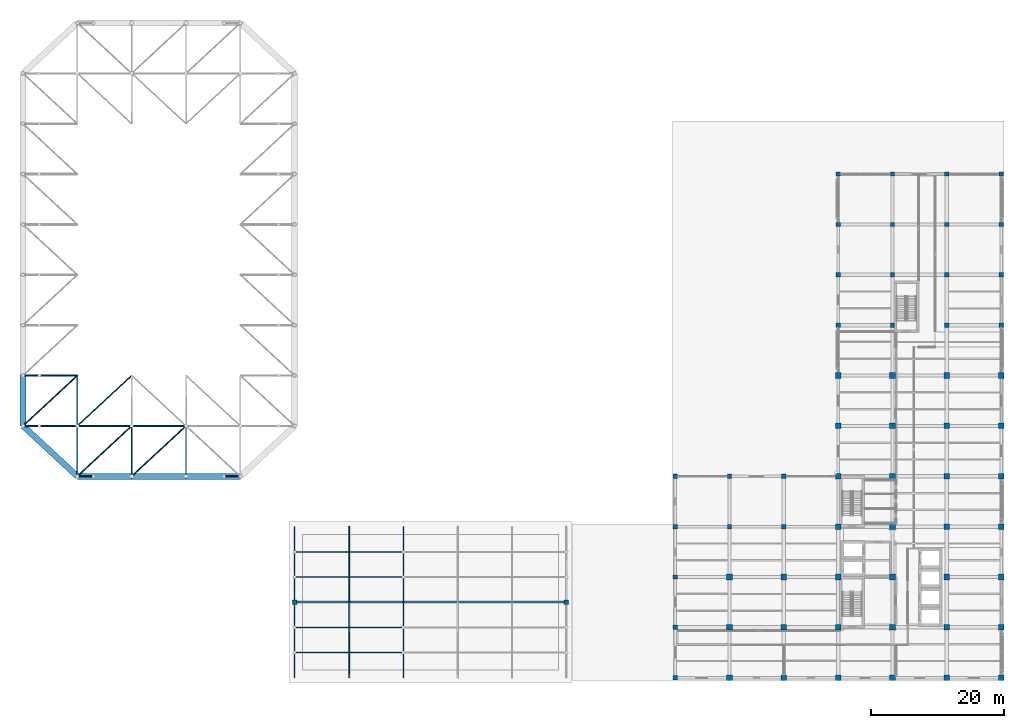
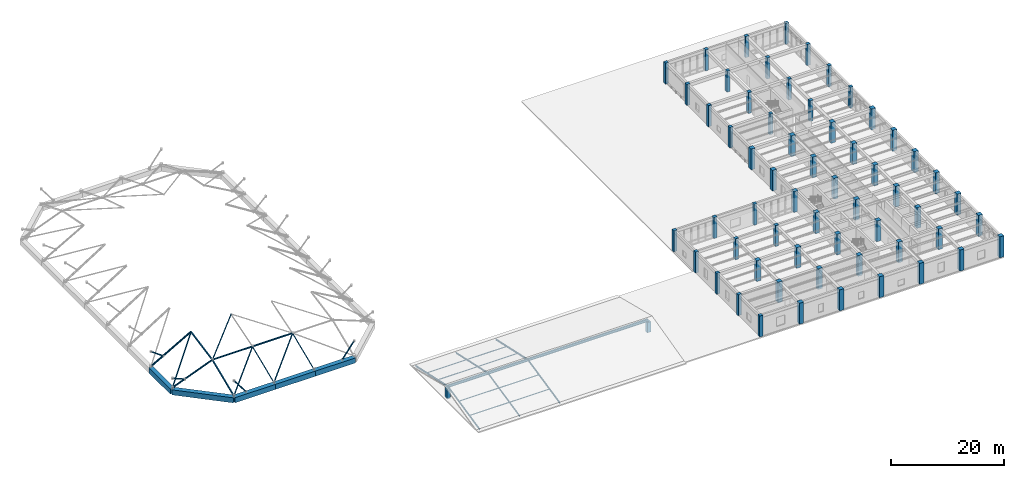
# One storey, part 1 of 23: 61 columns, 26 members, 6 beams.
"""IFC4 building model written with IfcOpenShell, lengths in metres."""

from ifc_helpers import new_model, si_unit, direction, frame, origin, origin_2d, place, context, subcontext, project, spatial, rectangle, hollow_rectangle, hollow_circle, i_section, extrude, material, material_profile, profile_set, type_object, element, save


model = new_model("IFC4")

# Units and contexts
model_context = context("Model", 3, precision=1e-05, world=origin(), true_north=direction((0.0, 1.0)))
body_context = subcontext(model_context, "Body", "Model", "MODEL_VIEW")
ifc_project = project(units=[si_unit("LENGTHUNIT", "METRE"), si_unit("AREAUNIT", "SQUARE_METRE"), si_unit("VOLUMEUNIT", "CUBIC_METRE"), si_unit("PLANEANGLEUNIT", "RADIAN"), si_unit("MASSUNIT", "GRAM", prefix="KILO")], contexts=[model_context])

# Site, building, storey
site_placement = place(None, origin())
site = spatial("IfcSite", under=ifc_project, at=site_placement, CompositionType="ELEMENT")
building_placement = place(site_placement, origin())
building = spatial("IfcBuilding", under=site, at=building_placement, Name="Qandaris Square Conservatory and Botanical Centre", CompositionType="ELEMENT")
storey_placement = place(building_placement, frame((0.0, 0.0, 15.0)))
storey = spatial("IfcBuildingStorey", under=building, at=storey_placement, Name="L03", CompositionType="ELEMENT", Elevation=15.0)

# Columns
ifc_material_1 = material(Name="Concrete C50/60", Category="concrete")
ifc_material_profile_1 = material_profile(ifc_material_1, rectangle(XDim=0.64990234375, YDim=0.64990234375, at=origin_2d()), Name="RC-COL 650x650")
ifc_profile_set_1 = profile_set([ifc_material_profile_1], Name="Concrete C50/60")
column_type_1 = type_object("IfcColumnType", Name="RC Column 650x650", PredefinedType="COLUMN", material=ifc_profile_set_1)
for number, where, z_axis, x_axis, name in (
    (1, (114.60009765625, 16.60009765625, 0.0), (0.0, 0.0, 1.0), (1.0, 0.0, 0.0), "Column B14 (L03)"),
    (2, (114.60009765625, 24.199951171875, 0.0), (0.0, 0.0, 1.0), (1.0, 0.0, 0.0), "Column C14 (L03)"),
    (3, (114.60009765625, 31.800048828125, 0.0), (0.0, 0.0, 1.0), (1.0, 0.0, 0.0), "Column D14 (L03)"),
    (4, (114.60009765625, 39.39990234375, 0.0), (0.0, 0.0, 1.0), (1.0, 0.0, 0.0), "Column E14 (L03)"),
    (5, (114.60009765625, 47.0, 0.0), (0.0, 0.0, 1.0), (1.0, 0.0, 0.0), "Column F14 (L03)"),
    (6, (122.800048828125, 39.39990234375, 0.0), (0.0, 0.0, 1.0), (1.0, 0.0, 0.0), "Column E15 (L03)"),
    (7, (122.800048828125, 47.0, 0.0), (0.0, 0.0, 1.0), (1.0, 0.0, 0.0), "Column F15 (L03)"),
    (8, (131.0, 39.39990234375, 0.0), (0.0, 0.0, 1.0), (1.0, 0.0, 0.0), "Column E16 (L03)"),
    (9, (131.0, 47.0, 0.0), (0.0, 0.0, 1.0), (1.0, 0.0, 0.0), "Column F16 (L03)"),
):
    element("IfcColumn", number, at=place(storey_placement, frame(where, z_axis=z_axis, x_axis=x_axis)), inside=storey, type_object=column_type_1, Name=name, PredefinedType="COLUMN", context=body_context, shape_type="SweptSolid", body=[
        extrude(rectangle(XDim=0.64990234375, YDim=0.64990234375, at=origin_2d()), origin(), (0.0, 0.0, 1.0), 4.544921875),
    ])
column_1_placement = place(storey_placement, frame((139.199951171875, 69.800048828125, 0.0), z_axis=(0.0, 0.0, 1.0), x_axis=(1.0, 0.0, 0.0)))
element("IfcColumn", 10, at=column_1_placement, inside=storey, type_object=column_type_1, Name="Column J17 (L03)", PredefinedType="COLUMN", context=body_context, shape_type="SweptSolid", body=[
    extrude(rectangle(XDim=0.64990234375, YDim=0.64990234375, at=origin_2d()), origin(), (0.0, 0.0, 1.0), 4.47998046875),
])
for number, where, z_axis, x_axis, name in (
    (11, (139.199951171875, 77.39990234375, 0.0), (0.0, 0.0, 1.0), (1.0, 0.0, 0.0), "Column K17 (L03)"),
    (12, (139.199951171875, 85.0, 0.0), (0.0, 0.0, 1.0), (1.0, 0.0, 0.0), "Column L17 (L03)"),
    (13, (139.199951171875, 92.60009765625, 0.0), (0.0, 0.0, 1.0), (1.0, 0.0, 0.0), "Column M17 (L03)"),
):
    element("IfcColumn", number, at=place(storey_placement, frame(where, z_axis=z_axis, x_axis=x_axis)), inside=storey, type_object=column_type_1, Name=name, PredefinedType="COLUMN", context=body_context, shape_type="SweptSolid", body=[
        extrude(rectangle(XDim=0.64990234375, YDim=0.64990234375, at=origin_2d()), origin(), (0.0, 0.0, 1.0), 4.570068359375),
    ])
column_2_placement = place(storey_placement, frame((147.39990234375, 69.800048828125, 0.0), z_axis=(0.0, 0.0, 1.0), x_axis=(1.0, 0.0, 0.0)))
element("IfcColumn", 14, at=column_2_placement, inside=storey, type_object=column_type_1, Name="Column J18 (L03)", PredefinedType="COLUMN", context=body_context, shape_type="SweptSolid", body=[
    extrude(rectangle(XDim=0.64990234375, YDim=0.64990234375, at=origin_2d()), origin(), (0.0, 0.0, 1.0), 4.47998046875),
])
for number, where, z_axis, x_axis, name in (
    (15, (147.39990234375, 77.39990234375, 0.0), (0.0, 0.0, 1.0), (1.0, 0.0, 0.0), "Column K18 (L03)"),
    (16, (147.39990234375, 85.0, 0.0), (0.0, 0.0, 1.0), (1.0, 0.0, 0.0), "Column L18 (L03)"),
    (17, (147.39990234375, 92.60009765625, 0.0), (0.0, 0.0, 1.0), (1.0, 0.0, 0.0), "Column M18 (L03)"),
):
    element("IfcColumn", number, at=place(storey_placement, frame(where, z_axis=z_axis, x_axis=x_axis)), inside=storey, type_object=column_type_1, Name=name, PredefinedType="COLUMN", context=body_context, shape_type="SweptSolid", body=[
        extrude(rectangle(XDim=0.64990234375, YDim=0.64990234375, at=origin_2d()), origin(), (0.0, 0.0, 1.0), 4.570068359375),
    ])
column_3_placement = place(storey_placement, frame((155.60009765625, 69.800048828125, 0.0), z_axis=(0.0, 0.0, 1.0), x_axis=(1.0, 0.0, 0.0)))
element("IfcColumn", 18, at=column_3_placement, inside=storey, type_object=column_type_1, Name="Column J19 (L03)", PredefinedType="COLUMN", context=body_context, shape_type="SweptSolid", body=[
    extrude(rectangle(XDim=0.64990234375, YDim=0.64990234375, at=origin_2d()), origin(), (0.0, 0.0, 1.0), 4.47998046875),
])
for number, where, z_axis, x_axis, name in (
    (19, (155.60009765625, 77.39990234375, 0.0), (0.0, 0.0, 1.0), (1.0, 0.0, 0.0), "Column K19 (L03)"),
    (20, (155.60009765625, 85.0, 0.0), (0.0, 0.0, 1.0), (1.0, 0.0, 0.0), "Column L19 (L03)"),
    (21, (155.60009765625, 92.60009765625, 0.0), (0.0, 0.0, 1.0), (1.0, 0.0, 0.0), "Column M19 (L03)"),
):
    element("IfcColumn", number, at=place(storey_placement, frame(where, z_axis=z_axis, x_axis=x_axis)), inside=storey, type_object=column_type_1, Name=name, PredefinedType="COLUMN", context=body_context, shape_type="SweptSolid", body=[
        extrude(rectangle(XDim=0.64990234375, YDim=0.64990234375, at=origin_2d()), origin(), (0.0, 0.0, 1.0), 4.570068359375),
    ])
column_4_placement = place(storey_placement, frame((163.800048828125, 69.800048828125, 0.0), z_axis=(0.0, 0.0, 1.0), x_axis=(1.0, 0.0, 0.0)))
element("IfcColumn", 22, at=column_4_placement, inside=storey, type_object=column_type_1, Name="Column J20 (L03)", PredefinedType="COLUMN", context=body_context, shape_type="SweptSolid", body=[
    extrude(rectangle(XDim=0.64990234375, YDim=0.64990234375, at=origin_2d()), origin(), (0.0, 0.0, 1.0), 4.544921875),
])
for number, where, z_axis, x_axis, name in (
    (23, (163.800048828125, 77.39990234375, 0.0), (0.0, 0.0, 1.0), (1.0, 0.0, 0.0), "Column K20 (L03)"),
    (24, (163.800048828125, 85.0, 0.0), (0.0, 0.0, 1.0), (1.0, 0.0, 0.0), "Column L20 (L03)"),
):
    element("IfcColumn", number, at=place(storey_placement, frame(where, z_axis=z_axis, x_axis=x_axis)), inside=storey, type_object=column_type_1, Name=name, PredefinedType="COLUMN", context=body_context, shape_type="SweptSolid", body=[
        extrude(rectangle(XDim=0.64990234375, YDim=0.64990234375, at=origin_2d()), origin(), (0.0, 0.0, 1.0), 4.570068359375),
    ])
column_5_placement = place(storey_placement, frame((163.800048828125, 92.60009765625, 0.0), z_axis=(0.0, 0.0, 1.0), x_axis=(1.0, 0.0, 0.0)))
element("IfcColumn", 25, at=column_5_placement, inside=storey, type_object=column_type_1, Name="Column M20 (L03)", PredefinedType="COLUMN", context=body_context, shape_type="SweptSolid", body=[
    extrude(rectangle(XDim=0.64990234375, YDim=0.64990234375, at=origin_2d()), origin(), (0.0, 0.0, 1.0), 4.544921875),
])
ifc_material_profile_2 = material_profile(ifc_material_1, rectangle(XDim=0.699951171875, YDim=0.699951171875, at=origin_2d()), Name="RC-COL 700x700")
ifc_profile_set_2 = profile_set([ifc_material_profile_2], Name="Concrete C50/60")
column_type_2 = type_object("IfcColumnType", Name="RC Column 700x700", PredefinedType="COLUMN", material=ifc_profile_set_2)
for number, where, z_axis, x_axis, name in (
    (26, (57.199951171875, 28.0, -0.2548828125), (0.0, 0.0, 1.0), (1.0, 0.0, 0.0), "Auditorium Ridge Post 7"),
    (27, (98.199951171875, 28.0, -0.2548828125), (0.0, 0.0, 1.0), (1.0, 0.0, 0.0), "Auditorium Ridge Post 12"),
):
    element("IfcColumn", number, at=place(storey_placement, frame(where, z_axis=z_axis, x_axis=x_axis)), inside=storey, type_object=column_type_2, Name=name, PredefinedType="COLUMN", context=body_context, shape_type="SweptSolid", body=[
        extrude(rectangle(XDim=0.699951171875, YDim=0.699951171875, at=origin_2d()), origin(), (0.0, 0.0, 1.0), 2.23486328125),
    ])
ifc_material_profile_3 = material_profile(ifc_material_1, rectangle(XDim=0.85009765625, YDim=0.85009765625, at=origin_2d()), Name="RC-COL 850x850")
ifc_profile_set_3 = profile_set([ifc_material_profile_3], Name="Concrete C50/60")
column_type_3 = type_object("IfcColumnType", Name="RC Column 850x850", PredefinedType="COLUMN", material=ifc_profile_set_3)
column_6_placement = place(storey_placement, frame((122.800048828125, 16.60009765625, 0.0), z_axis=(0.0, 0.0, 1.0), x_axis=(1.0, 0.0, 0.0)))
element("IfcColumn", 28, at=column_6_placement, inside=storey, type_object=column_type_3, Name="Column B15 (L03)", PredefinedType="COLUMN", context=body_context, shape_type="SweptSolid", body=[
    extrude(rectangle(XDim=0.85009765625, YDim=0.85009765625, at=origin_2d()), origin(), (0.0, 0.0, 1.0), 4.544921875),
])
for number, where, z_axis, x_axis, name in (
    (29, (122.800048828125, 24.199951171875, 0.0), (0.0, 0.0, 1.0), (1.0, 0.0, 0.0), "Column C15 (L03)"),
    (30, (122.800048828125, 31.800048828125, 0.0), (0.0, 0.0, 1.0), (1.0, 0.0, 0.0), "Column D15 (L03)"),
):
    element("IfcColumn", number, at=place(storey_placement, frame(where, z_axis=z_axis, x_axis=x_axis)), inside=storey, type_object=column_type_3, Name=name, PredefinedType="COLUMN", context=body_context, shape_type="SweptSolid", body=[
        extrude(rectangle(XDim=0.85009765625, YDim=0.85009765625, at=origin_2d()), origin(), (0.0, 0.0, 1.0), 4.47998046875),
    ])
column_7_placement = place(storey_placement, frame((131.0, 16.60009765625, 0.0), z_axis=(0.0, 0.0, 1.0), x_axis=(1.0, 0.0, 0.0)))
element("IfcColumn", 31, at=column_7_placement, inside=storey, type_object=column_type_3, Name="Column B16 (L03)", PredefinedType="COLUMN", context=body_context, shape_type="SweptSolid", body=[
    extrude(rectangle(XDim=0.85009765625, YDim=0.85009765625, at=origin_2d()), origin(), (0.0, 0.0, 1.0), 4.544921875),
])
for number, where, z_axis, x_axis, name in (
    (32, (131.0, 24.199951171875, 0.0), (0.0, 0.0, 1.0), (1.0, 0.0, 0.0), "Column C16 (L03)"),
    (33, (131.0, 31.800048828125, 0.0), (0.0, 0.0, 1.0), (1.0, 0.0, 0.0), "Column D16 (L03)"),
):
    element("IfcColumn", number, at=place(storey_placement, frame(where, z_axis=z_axis, x_axis=x_axis)), inside=storey, type_object=column_type_3, Name=name, PredefinedType="COLUMN", context=body_context, shape_type="SweptSolid", body=[
        extrude(rectangle(XDim=0.85009765625, YDim=0.85009765625, at=origin_2d()), origin(), (0.0, 0.0, 1.0), 4.47998046875),
    ])
column_8_placement = place(storey_placement, frame((139.199951171875, 16.60009765625, 0.0), z_axis=(0.0, 0.0, 1.0), x_axis=(1.0, 0.0, 0.0)))
element("IfcColumn", 34, at=column_8_placement, inside=storey, type_object=column_type_3, Name="Column B17 (L03)", PredefinedType="COLUMN", context=body_context, shape_type="SweptSolid", body=[
    extrude(rectangle(XDim=0.85009765625, YDim=0.85009765625, at=origin_2d()), origin(), (0.0, 0.0, 1.0), 4.544921875),
])
for number, where, z_axis, x_axis, name in (
    (35, (139.199951171875, 24.199951171875, 0.0), (0.0, 0.0, 1.0), (1.0, 0.0, 0.0), "Column C17 (L03)"),
    (36, (139.199951171875, 31.800048828125, 0.0), (0.0, 0.0, 1.0), (1.0, 0.0, 0.0), "Column D17 (L03)"),
    (37, (139.199951171875, 39.39990234375, 0.0), (0.0, 0.0, 1.0), (1.0, 0.0, 0.0), "Column E17 (L03)"),
    (38, (139.199951171875, 47.0, 0.0), (0.0, 0.0, 1.0), (1.0, 0.0, 0.0), "Column F17 (L03)"),
    (39, (139.199951171875, 54.60009765625, 0.0), (0.0, 0.0, 1.0), (1.0, 0.0, 0.0), "Column G17 (L03)"),
    (40, (139.199951171875, 62.199951171875, 0.0), (0.0, 0.0, 1.0), (1.0, 0.0, 0.0), "Column H17 (L03)"),
):
    element("IfcColumn", number, at=place(storey_placement, frame(where, z_axis=z_axis, x_axis=x_axis)), inside=storey, type_object=column_type_3, Name=name, PredefinedType="COLUMN", context=body_context, shape_type="SweptSolid", body=[
        extrude(rectangle(XDim=0.85009765625, YDim=0.85009765625, at=origin_2d()), origin(), (0.0, 0.0, 1.0), 4.47998046875),
    ])
column_9_placement = place(storey_placement, frame((147.39990234375, 16.60009765625, 0.0), z_axis=(0.0, 0.0, 1.0), x_axis=(1.0, 0.0, 0.0)))
element("IfcColumn", 41, at=column_9_placement, inside=storey, type_object=column_type_3, Name="Column B18 (L03)", PredefinedType="COLUMN", context=body_context, shape_type="SweptSolid", body=[
    extrude(rectangle(XDim=0.85009765625, YDim=0.85009765625, at=origin_2d()), origin(), (0.0, 0.0, 1.0), 4.544921875),
])
for number, where, z_axis, x_axis, name in (
    (42, (147.39990234375, 24.199951171875, 0.0), (0.0, 0.0, 1.0), (1.0, 0.0, 0.0), "Column C18 (L03)"),
    (43, (147.39990234375, 31.800048828125, 0.0), (0.0, 0.0, 1.0), (1.0, 0.0, 0.0), "Column D18 (L03)"),
    (44, (147.39990234375, 39.39990234375, 0.0), (0.0, 0.0, 1.0), (1.0, 0.0, 0.0), "Column E18 (L03)"),
    (45, (147.39990234375, 47.0, 0.0), (0.0, 0.0, 1.0), (1.0, 0.0, 0.0), "Column F18 (L03)"),
    (46, (147.39990234375, 54.60009765625, 0.0), (0.0, 0.0, 1.0), (1.0, 0.0, 0.0), "Column G18 (L03)"),
    (47, (147.39990234375, 62.199951171875, 0.0), (0.0, 0.0, 1.0), (1.0, 0.0, 0.0), "Column H18 (L03)"),
):
    element("IfcColumn", number, at=place(storey_placement, frame(where, z_axis=z_axis, x_axis=x_axis)), inside=storey, type_object=column_type_3, Name=name, PredefinedType="COLUMN", context=body_context, shape_type="SweptSolid", body=[
        extrude(rectangle(XDim=0.85009765625, YDim=0.85009765625, at=origin_2d()), origin(), (0.0, 0.0, 1.0), 4.47998046875),
    ])
column_10_placement = place(storey_placement, frame((155.60009765625, 16.60009765625, 0.0), z_axis=(0.0, 0.0, 1.0), x_axis=(1.0, 0.0, 0.0)))
element("IfcColumn", 48, at=column_10_placement, inside=storey, type_object=column_type_3, Name="Column B19 (L03)", PredefinedType="COLUMN", context=body_context, shape_type="SweptSolid", body=[
    extrude(rectangle(XDim=0.85009765625, YDim=0.85009765625, at=origin_2d()), origin(), (0.0, 0.0, 1.0), 4.544921875),
])
for number, where, z_axis, x_axis, name in (
    (49, (155.60009765625, 24.199951171875, 0.0), (0.0, 0.0, 1.0), (1.0, 0.0, 0.0), "Column C19 (L03)"),
    (50, (155.60009765625, 31.800048828125, 0.0), (0.0, 0.0, 1.0), (1.0, 0.0, 0.0), "Column D19 (L03)"),
    (51, (155.60009765625, 39.39990234375, 0.0), (0.0, 0.0, 1.0), (1.0, 0.0, 0.0), "Column E19 (L03)"),
    (52, (155.60009765625, 47.0, 0.0), (0.0, 0.0, 1.0), (1.0, 0.0, 0.0), "Column F19 (L03)"),
    (53, (155.60009765625, 54.60009765625, 0.0), (0.0, 0.0, 1.0), (1.0, 0.0, 0.0), "Column G19 (L03)"),
    (54, (155.60009765625, 62.199951171875, 0.0), (0.0, 0.0, 1.0), (1.0, 0.0, 0.0), "Column H19 (L03)"),
):
    element("IfcColumn", number, at=place(storey_placement, frame(where, z_axis=z_axis, x_axis=x_axis)), inside=storey, type_object=column_type_3, Name=name, PredefinedType="COLUMN", context=body_context, shape_type="SweptSolid", body=[
        extrude(rectangle(XDim=0.85009765625, YDim=0.85009765625, at=origin_2d()), origin(), (0.0, 0.0, 1.0), 4.47998046875),
    ])
for number, where, z_axis, x_axis, name in (
    (55, (163.800048828125, 16.60009765625, 0.0), (0.0, 0.0, 1.0), (1.0, 0.0, 0.0), "Column B20 (L03)"),
    (56, (163.800048828125, 24.199951171875, 0.0), (0.0, 0.0, 1.0), (1.0, 0.0, 0.0), "Column C20 (L03)"),
    (57, (163.800048828125, 31.800048828125, 0.0), (0.0, 0.0, 1.0), (1.0, 0.0, 0.0), "Column D20 (L03)"),
    (58, (163.800048828125, 39.39990234375, 0.0), (0.0, 0.0, 1.0), (1.0, 0.0, 0.0), "Column E20 (L03)"),
    (59, (163.800048828125, 47.0, 0.0), (0.0, 0.0, 1.0), (1.0, 0.0, 0.0), "Column F20 (L03)"),
    (60, (163.800048828125, 54.60009765625, 0.0), (0.0, 0.0, 1.0), (1.0, 0.0, 0.0), "Column G20 (L03)"),
    (61, (163.800048828125, 62.199951171875, 0.0), (0.0, 0.0, 1.0), (1.0, 0.0, 0.0), "Column H20 (L03)"),
):
    element("IfcColumn", number, at=place(storey_placement, frame(where, z_axis=z_axis, x_axis=x_axis)), inside=storey, type_object=column_type_3, Name=name, PredefinedType="COLUMN", context=body_context, shape_type="SweptSolid", body=[
        extrude(rectangle(XDim=0.85009765625, YDim=0.85009765625, at=origin_2d()), origin(), (0.0, 0.0, 1.0), 4.544921875),
    ])

# Members
ifc_material_2 = material(Name="Steel S355", Category="steel")
ifc_material_profile_4 = material_profile(ifc_material_2, i_section(OverallWidth=0.14990234375, OverallDepth=0.300048828125, WebThickness=0.007080078125, FlangeThickness=0.0107421875, FilletRadius=0.014892578125, at=origin_2d()), Name="IPE 300")
ifc_profile_set_4 = profile_set([ifc_material_profile_4], Name="Steel S355")
member_type_1 = type_object("IfcMemberType", Name="Auditorium Eave Prairie Rafter IPE 300", PredefinedType="RAFTER", material=ifc_profile_set_4)
for number, where, z_axis, x_axis, name in (
    (62, (65.39990234375, 16.60009765625, -0.2548828125), (0.0, 0.976700090334, 0.214608791854), (-1.0, 0.0, 0.0), "Auditorium South Rafter 003"),
    (63, (65.39990234375, 39.39990234375, -0.2548828125), (0.0, -0.976700090334, 0.214608791854), (1.0, 0.0, 0.0), "Auditorium North Rafter 004"),
):
    element("IfcMember", number, at=place(storey_placement, frame(where, z_axis=z_axis, x_axis=x_axis)), inside=storey, type_object=member_type_1, Name=name, PredefinedType="RAFTER", context=body_context, shape_type="SweptSolid", body=[
        extrude(i_section(OverallWidth=0.14990234375, OverallDepth=0.300048828125, WebThickness=0.007080078125, FlangeThickness=0.0107421875, FilletRadius=0.014892578125, at=origin_2d()), origin(), (0.0, 0.0, 1.0), 11.671875),
    ])
ifc_material_profile_5 = material_profile(ifc_material_2, i_section(OverallWidth=0.159912109375, OverallDepth=0.330078125, WebThickness=0.007568359375, FlangeThickness=0.011474609375, FilletRadius=0.01806640625, at=origin_2d()), Name="IPE 330")
ifc_profile_set_5 = profile_set([ifc_material_profile_5], Name="Steel S355")
member_type_2 = type_object("IfcMemberType", Name="Auditorium Hip Prairie Rafter IPE 330", PredefinedType="RAFTER", material=ifc_profile_set_5)
for number, where, z_axis, x_axis, name in (
    (64, (57.199951171875, 16.60009765625, -0.2548828125), (0.0, 0.976700090334, 0.214608791854), (-1.0, 0.0, 0.0), "Auditorium South Rafter 001"),
    (65, (57.199951171875, 39.39990234375, -0.2548828125), (0.0, -0.976700090334, 0.214608791854), (1.0, 0.0, 0.0), "Auditorium North Rafter 002"),
    (66, (73.60009765625, 16.60009765625, -0.2548828125), (0.0, 0.976700090334, 0.214608791854), (-1.0, 0.0, 0.0), "Auditorium South Rafter 005"),
    (67, (73.60009765625, 39.39990234375, -0.2548828125), (0.0, -0.976700090334, 0.214608791854), (1.0, 0.0, 0.0), "Auditorium North Rafter 006"),
):
    element("IfcMember", number, at=place(storey_placement, frame(where, z_axis=z_axis, x_axis=x_axis)), inside=storey, type_object=member_type_2, Name=name, PredefinedType="RAFTER", context=body_context, shape_type="SweptSolid", body=[
        extrude(i_section(OverallWidth=0.159912109375, OverallDepth=0.330078125, WebThickness=0.007568359375, FlangeThickness=0.011474609375, FilletRadius=0.01806640625, at=origin_2d()), origin(), (0.0, 0.0, 1.0), 11.671875),
    ])

# Beams
ifc_material_profile_6 = material_profile(ifc_material_1, rectangle(XDim=0.89990234375, YDim=1.10009765625, at=origin_2d()), Name="RC-RB 900x1100")
ifc_profile_set_6 = profile_set([ifc_material_profile_6], Name="Concrete C50/60")
beam_type_1 = type_object("IfcBeamType", Name="Conservatory Ring Beam RB1 900x1100", PredefinedType="BEAM", material=ifc_profile_set_6)
beam_1_placement = place(storey_placement, frame((24.39990234375, 47.0, -0.550048828125), z_axis=(1.0, 0.0, 0.0), x_axis=(0.0, 1.0, 0.0)))
element("IfcBeam", 68, at=beam_1_placement, inside=storey, type_object=beam_type_1, Name="Conservatory Ring Beam RB1-1.1", PredefinedType="BEAM", context=body_context, shape_type="SweptSolid", body=[
    extrude(rectangle(XDim=0.89990234375, YDim=1.10009765625, at=origin_2d()), origin(), (0.0, 0.0, 1.0), 8.2001953125),
])
for number, where, z_axis, x_axis, name in (
    (69, (32.60009765625, 47.0, -0.550048828125), (1.0, 0.0, 0.0), (0.0, 1.0, 0.0), "Conservatory Ring Beam RB1-1.2"),
    (70, (40.800048828125, 47.0, -0.550048828125), (1.0, 0.0, 0.0), (0.0, 1.0, 0.0), "Conservatory Ring Beam RB1-1.3"),
):
    element("IfcBeam", number, at=place(storey_placement, frame(where, z_axis=z_axis, x_axis=x_axis)), inside=storey, type_object=beam_type_1, Name=name, PredefinedType="BEAM", context=body_context, shape_type="SweptSolid", body=[
        extrude(rectangle(XDim=0.89990234375, YDim=1.10009765625, at=origin_2d()), origin(), (0.0, 0.0, 1.0), 8.199951171875),
    ])
beam_2_placement = place(storey_placement, frame((16.199951171875, 62.199951171875, -0.550048828125), z_axis=(0.0, -1.0, 0.0), x_axis=(1.0, 0.0, 0.0)))
element("IfcBeam", 71, at=beam_2_placement, inside=storey, type_object=beam_type_1, Name="Conservatory Ring Beam RB1-7.7", PredefinedType="BEAM", context=body_context, shape_type="SweptSolid", body=[
    extrude(rectangle(XDim=0.89990234375, YDim=1.10009765625, at=origin_2d()), origin(), (0.0, 0.0, 1.0), 7.599853515625),
])
beam_3_placement = place(storey_placement, frame((16.199951171875, 54.60009765625, -0.550048828125), z_axis=(0.733423923811, -0.67977154102, 0.0), x_axis=(0.67977154102, 0.733423923811, 0.0)))
element("IfcBeam", 72, at=beam_3_placement, inside=storey, type_object=beam_type_1, Name="Conservatory Ring Beam RB1-8.1", PredefinedType="BEAM", context=body_context, shape_type="SweptSolid", body=[
    extrude(rectangle(XDim=0.89990234375, YDim=1.10009765625, at=origin_2d()), origin(), (0.0, 0.0, 1.0), 11.180419921875),
])

# Members
ifc_material_profile_7 = material_profile(ifc_material_2, hollow_circle(Radius=0.136474609375, WallThickness=0.010009765625, at=origin_2d()), Name="CHS 273.0x10.0")
ifc_profile_set_7 = profile_set([ifc_material_profile_7], Name="Steel S355")
member_type_3 = type_object("IfcMemberType", Name="Gridshell Crown Ring Chord CHS 273.0x10.0", PredefinedType="CHORD", material=ifc_profile_set_7)
member_1_placement = place(storey_placement, frame((18.659912109375, 54.60009765625, 1.134033203125), z_axis=(-0.91613229224, 0.0, 0.40087606952), x_axis=(0.0, -1.0, 0.0)))
element("IfcMember", 73, at=member_1_placement, inside=storey, type_object=member_type_3, Name="Dome Glazing V-Strut 0.1", PredefinedType="CHORD", context=body_context, shape_type="SweptSolid", body=[
    extrude(hollow_circle(Radius=0.136474609375, WallThickness=0.010009765625, at=origin_2d()), origin(), (0.0, 0.0, 1.0), 2.68505859375),
])
member_2_placement = place(storey_placement, frame((18.659912109375, 62.199951171875, 1.57470703125), z_axis=(-0.806064059435, 0.0, 0.591828296119), x_axis=(0.0, -1.0, 0.0)))
element("IfcMember", 74, at=member_2_placement, inside=storey, type_object=member_type_3, Name="Dome Glazing V-Strut 0.2", PredefinedType="CHORD", context=body_context, shape_type="SweptSolid", body=[
    extrude(hollow_circle(Radius=0.136474609375, WallThickness=0.010009765625, at=origin_2d()), origin(), (0.0, 0.0, 1.0), 3.0517578125),
])
member_3_placement = place(storey_placement, frame((26.860107421875, 47.0, 0.179931640625), z_axis=(-0.603069267714, 0.0, 0.797688823), x_axis=(0.0, -1.0, 0.0)))
element("IfcMember", 75, at=member_3_placement, inside=storey, type_object=member_type_3, Name="Dome Glazing V-Strut 1.0", PredefinedType="CHORD", context=body_context, shape_type="SweptSolid", body=[
    extrude(hollow_circle(Radius=0.136474609375, WallThickness=0.010009765625, at=origin_2d()), origin(), (0.0, 0.0, 1.0), 4.07958984375),
])
member_4_placement = place(storey_placement, frame((46.5400390625, 47.0, 0.179931640625), z_axis=(0.603031185126, 0.0, 0.797717612797), x_axis=(0.0, 1.0, 0.0)))
element("IfcMember", 76, at=member_4_placement, inside=storey, type_object=member_type_3, Name="Dome Glazing V-Strut 4.0", PredefinedType="CHORD", context=body_context, shape_type="SweptSolid", body=[
    extrude(hollow_circle(Radius=0.136474609375, WallThickness=0.010009765625, at=origin_2d()), origin(), (0.0, 0.0, 1.0), 4.079345703125),
])
ifc_material_profile_8 = material_profile(ifc_material_2, hollow_circle(Radius=0.161865234375, WallThickness=0.012451171875, at=origin_2d()), Name="CHS 323.9x12.5")
ifc_profile_set_8 = profile_set([ifc_material_profile_8], Name="Steel S355")
member_type_4 = type_object("IfcMemberType", Name="Gridshell Edge Arch Chord CHS 323.9x12.5", PredefinedType="CHORD", material=ifc_profile_set_8)
member_5_placement = place(storey_placement, frame((16.199951171875, 54.60009765625, 0.179931640625), z_axis=(0.932338201429, 0.0, 0.361587441922), x_axis=(0.0, 1.0, 0.0)))
element("IfcMember", 77, at=member_5_placement, inside=storey, type_object=member_type_4, Name="Conservatory Roof Truss Chord 001", PredefinedType="CHORD", context=body_context, shape_type="SweptSolid", body=[
    extrude(hollow_circle(Radius=0.161865234375, WallThickness=0.012451171875, at=origin_2d()), origin(), (0.0, 0.0, 1.0), 8.794921875),
])
member_6_placement = place(storey_placement, frame((24.39990234375, 54.60009765625, 3.360107421875), z_axis=(1.0, 0.0, 0.0), x_axis=(0.0, 1.0, 0.0)))
element("IfcMember", 78, at=member_6_placement, inside=storey, type_object=member_type_4, Name="Conservatory Roof Truss Chord 009", PredefinedType="CHORD", context=body_context, shape_type="SweptSolid", body=[
    extrude(hollow_circle(Radius=0.161865234375, WallThickness=0.012451171875, at=origin_2d()), origin(), (0.0, 0.0, 1.0), 8.2001953125),
])
member_7_placement = place(storey_placement, frame((32.60009765625, 54.60009765625, 3.360107421875), z_axis=(1.0, 0.0, 0.0), x_axis=(0.0, 1.0, 0.0)))
element("IfcMember", 79, at=member_7_placement, inside=storey, type_object=member_type_4, Name="Conservatory Roof Truss Chord 017", PredefinedType="CHORD", context=body_context, shape_type="SweptSolid", body=[
    extrude(hollow_circle(Radius=0.161865234375, WallThickness=0.012451171875, at=origin_2d()), origin(), (0.0, 0.0, 1.0), 8.199951171875),
])
ifc_material_profile_9 = material_profile(ifc_material_2, hollow_circle(Radius=0.122314453125, WallThickness=0.010009765625, at=origin_2d()), Name="CHS 244.5x10.0")
ifc_profile_set_9 = profile_set([ifc_material_profile_9], Name="Steel S355")
member_type_5 = type_object("IfcMemberType", Name="Gridshell Lower Diagrid Brace CHS 244.5x10.0", PredefinedType="BRACE", material=ifc_profile_set_9)
member_8_placement = place(storey_placement, frame((16.199951171875, 54.60009765625, 0.179931640625), z_axis=(0.67722071552, 0.627659619895, 0.383947267244), x_axis=(-0.67975979465, 0.733434810721, 0.0)))
element("IfcMember", 80, at=member_8_placement, inside=storey, type_object=member_type_5, Name="Conservatory Diagrid Brace 001", PredefinedType="BRACE", context=body_context, shape_type="SweptSolid", body=[
    extrude(hollow_circle(Radius=0.122314453125, WallThickness=0.010009765625, at=origin_2d()), origin(), (0.0, 0.0, 1.0), 12.108154296875),
])
member_9_placement = place(storey_placement, frame((24.39990234375, 47.0, 0.179931640625), z_axis=(0.70545166382, 0.653826077608, 0.2735862026), x_axis=(-0.679760654278, 0.733434014002, 0.0)))
element("IfcMember", 81, at=member_9_placement, inside=storey, type_object=member_type_5, Name="Conservatory Diagrid Brace 008", PredefinedType="BRACE", context=body_context, shape_type="SweptSolid", body=[
    extrude(hollow_circle(Radius=0.122314453125, WallThickness=0.010009765625, at=origin_2d()), origin(), (0.0, 0.0, 1.0), 11.6240234375),
])
member_10_placement = place(storey_placement, frame((32.60009765625, 47.0, 0.179931640625), z_axis=(0.705441112938, 0.6538357652, 0.273590256264), x_axis=(-0.67977154102, 0.733423923811, 0.0)))
element("IfcMember", 82, at=member_10_placement, inside=storey, type_object=member_type_5, Name="Conservatory Diagrid Brace 017", PredefinedType="BRACE", context=body_context, shape_type="SweptSolid", body=[
    extrude(hollow_circle(Radius=0.122314453125, WallThickness=0.010009765625, at=origin_2d()), origin(), (0.0, 0.0, 1.0), 11.623779296875),
])
ifc_material_profile_10 = material_profile(ifc_material_2, hollow_rectangle(XDim=0.199951171875, YDim=0.300048828125, WallThickness=0.010009765625, at=origin_2d()), Name="RHS 300x200x10.0")
ifc_profile_set_10 = profile_set([ifc_material_profile_10], Name="Steel S355")
member_type_6 = type_object("IfcMemberType", Name="Gridshell Main Ring Purlin RHS 300x200x10.0", PredefinedType="PURLIN", material=ifc_profile_set_10)
member_11_placement = place(storey_placement, frame((24.39990234375, 47.0, 0.10009765625), z_axis=(0.0, 0.92249547339, 0.386007903514), x_axis=(-1.0, 0.0, 0.0)))
element("IfcMember", 83, at=member_11_placement, inside=storey, type_object=member_type_6, Name="Conservatory Roof Purlin 001", PredefinedType="PURLIN", context=body_context, shape_type="SweptSolid", body=[
    extrude(hollow_rectangle(XDim=0.199951171875, YDim=0.300048828125, WallThickness=0.010009765625, at=origin_2d()), origin(), (0.0, 0.0, 1.0), 8.238525390625),
])
member_12_placement = place(storey_placement, frame((24.39990234375, 54.60009765625, 3.2802734375), z_axis=(0.0, 0.981838456715, 0.189718857565), x_axis=(-1.0, 0.0, 0.0)))
element("IfcMember", 84, at=member_12_placement, inside=storey, type_object=member_type_6, Name="Conservatory Roof Purlin 002", PredefinedType="PURLIN", context=body_context, shape_type="SweptSolid", body=[
    extrude(hollow_rectangle(XDim=0.199951171875, YDim=0.300048828125, WallThickness=0.010009765625, at=origin_2d()), origin(), (0.0, 0.0, 1.0), 7.740478515625),
])
ifc_material_profile_11 = material_profile(ifc_material_2, hollow_circle(Radius=0.109619140625, WallThickness=0.008056640625, at=origin_2d()), Name="CHS 219.1x8.0")
ifc_profile_set_11 = profile_set([ifc_material_profile_11], Name="Steel S355")
member_type_7 = type_object("IfcMemberType", Name="Gridshell Mid Diagrid Brace CHS 219.1x8.0", PredefinedType="BRACE", material=ifc_profile_set_11)
member_13_placement = place(storey_placement, frame((24.39990234375, 54.60009765625, 3.360107421875), z_axis=(0.717302478812, 0.664788283403, 0.208647291235), x_axis=(-0.679748907773, 0.733444900713, 0.0)))
element("IfcMember", 85, at=member_13_placement, inside=storey, type_object=member_type_7, Name="Conservatory Diagrid Brace 009", PredefinedType="BRACE", context=body_context, shape_type="SweptSolid", body=[
    extrude(hollow_circle(Radius=0.109619140625, WallThickness=0.008056640625, at=origin_2d()), origin(), (0.0, 0.0, 1.0), 11.431884765625),
])
ifc_material_profile_12 = material_profile(ifc_material_2, hollow_circle(Radius=0.177734375, WallThickness=0.012451171875, at=origin_2d()), Name="CHS 355.6x12.5")
ifc_profile_set_12 = profile_set([ifc_material_profile_12], Name="Steel S355")
member_type_8 = type_object("IfcMemberType", Name="Gridshell Secondary Arch Chord CHS 355.6x12.5", PredefinedType="CHORD", material=ifc_profile_set_12)
member_14_placement = place(storey_placement, frame((16.199951171875, 62.199951171875, 0.179931640625), z_axis=(0.869918107255, 0.0, 0.493196194907), x_axis=(0.0, 1.0, 0.0)))
element("IfcMember", 86, at=member_14_placement, inside=storey, type_object=member_type_8, Name="Conservatory Roof Truss Chord 002", PredefinedType="CHORD", context=body_context, shape_type="SweptSolid", body=[
    extrude(hollow_circle(Radius=0.177734375, WallThickness=0.012451171875, at=origin_2d()), origin(), (0.0, 0.0, 1.0), 9.426025390625),
])
ifc_material_profile_13 = material_profile(ifc_material_2, hollow_rectangle(XDim=0.1201171875, YDim=0.199951171875, WallThickness=0.008056640625, at=origin_2d()), Name="RHS 200x120x8.0")
ifc_profile_set_13 = profile_set([ifc_material_profile_13], Name="Steel S355")
member_type_9 = type_object("IfcMemberType", Name="Gridshell Upper Purlin RHS 200x120x8.0", PredefinedType="PURLIN", material=ifc_profile_set_13)
for number, where, z_axis, x_axis, name in (
    (87, (32.60009765625, 47.0, 0.10009765625), (0.0, 0.92249547339, 0.386007903514), (-1.0, 0.0, 0.0), "Conservatory Roof Purlin 010"),
    (88, (40.800048828125, 47.0, 0.10009765625), (0.0, 0.92249547339, 0.386007903514), (-1.0, 0.0, 0.0), "Conservatory Roof Purlin 019"),
):
    element("IfcMember", number, at=place(storey_placement, frame(where, z_axis=z_axis, x_axis=x_axis)), inside=storey, type_object=member_type_9, Name=name, PredefinedType="PURLIN", context=body_context, shape_type="SweptSolid", body=[
        extrude(hollow_rectangle(XDim=0.1201171875, YDim=0.199951171875, WallThickness=0.008056640625, at=origin_2d()), origin(), (0.0, 0.0, 1.0), 8.238525390625),
    ])
ifc_material_profile_14 = material_profile(ifc_material_2, hollow_rectangle(XDim=0.10009765625, YDim=0.179931640625, WallThickness=0.00634765625, at=origin_2d()), Name="RHS 180x100x6.3")
ifc_profile_set_14 = profile_set([ifc_material_profile_14], Name="Steel S355")
member_type_10 = type_object("IfcMemberType", Name="Pavilion Roof Purlin RHS 180x100x6.3", PredefinedType="PURLIN", material=ifc_profile_set_14)
for number, where, z_axis, x_axis, name in (
    (89, (57.199951171875, 20.39990234375, 0.50341796875), (1.0, 0.0, 0.0), (0.0, 1.0, 0.0), "Auditorium Roof Purlin 1.1"),
    (90, (57.199951171875, 24.199951171875, 1.28662109375), (1.0, 0.0, 0.0), (0.0, 1.0, 0.0), "Auditorium Roof Purlin 2.1"),
    (91, (57.199951171875, 31.800048828125, 1.28662109375), (1.0, 0.0, 0.0), (0.0, 1.0, 0.0), "Auditorium Roof Purlin 3.1"),
    (92, (57.199951171875, 35.60009765625, 0.50341796875), (1.0, 0.0, 0.0), (0.0, 1.0, 0.0), "Auditorium Roof Purlin 4.1"),
):
    element("IfcMember", number, at=place(storey_placement, frame(where, z_axis=z_axis, x_axis=x_axis)), inside=storey, type_object=member_type_10, Name=name, PredefinedType="PURLIN", context=body_context, shape_type="SweptSolid", body=[
        extrude(hollow_rectangle(XDim=0.10009765625, YDim=0.179931640625, WallThickness=0.00634765625, at=origin_2d()), origin(), (0.0, 0.0, 1.0), 16.400146484375),
    ])

# Beam
ifc_material_profile_15 = material_profile(ifc_material_2, i_section(OverallWidth=0.300048828125, OverallDepth=0.5400390625, WebThickness=0.012451171875, FlangeThickness=0.02392578125, FilletRadius=0.027099609375, at=origin_2d()), Name="HEA 550")
ifc_profile_set_15 = profile_set([ifc_material_profile_15], Name="Steel S355")
beam_type_2 = type_object("IfcBeamType", Name="Visitor Hall Roof Girder HEA 550", PredefinedType="BEAM", material=ifc_profile_set_15)
beam_4_placement = place(storey_placement, frame((57.199951171875, 28.0, 2.25), z_axis=(1.0, 0.0, 0.0), x_axis=(0.0, 1.0, 0.0)))
element("IfcBeam", 93, at=beam_4_placement, inside=storey, type_object=beam_type_2, Name="Auditorium Ridge Girder", PredefinedType="BEAM", context=body_context, shape_type="SweptSolid", body=[
    extrude(i_section(OverallWidth=0.300048828125, OverallDepth=0.5400390625, WebThickness=0.012451171875, FlangeThickness=0.02392578125, FilletRadius=0.027099609375, at=origin_2d()), origin(), (0.0, 0.0, 1.0), 41.0),
])

save(model, "model.ifc")
